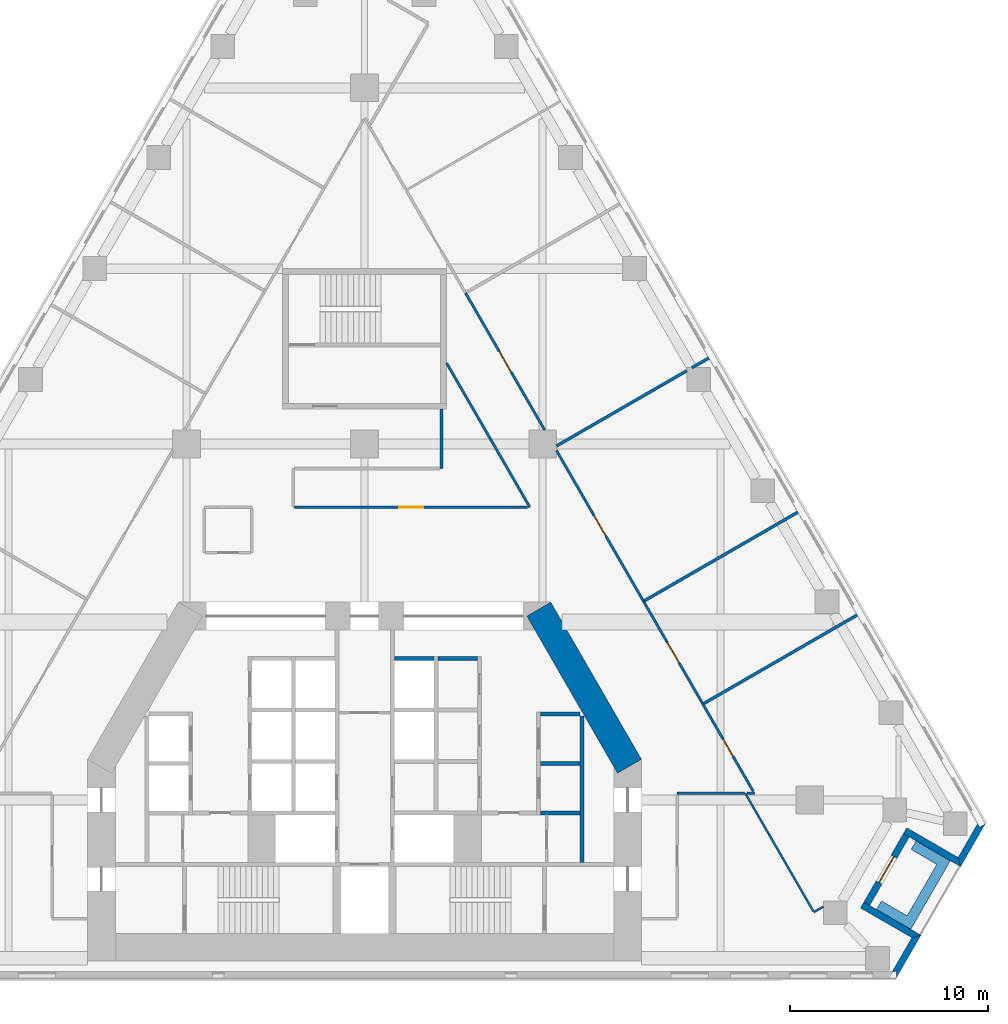
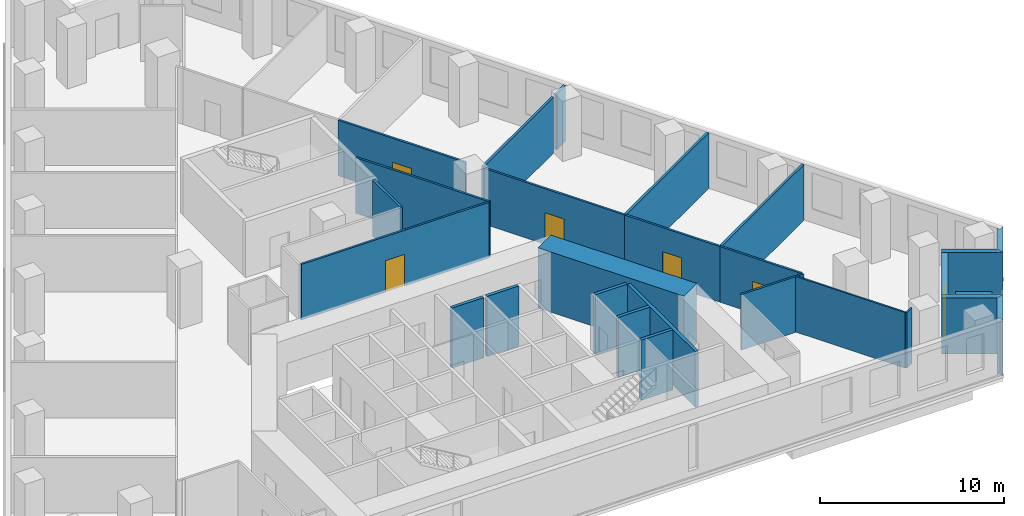
# One storey, part 6 of 9: 28 walls, 6 doors, 6 openings.
"""IFC4 building model written with IfcOpenShell, lengths in metres."""

from ifc_helpers import new_model, si_unit, direction, frame, frame_2d, origin, place, context, subcontext, project, spatial, polyline, rectangle, outline, extrude, material, layer, layer_set, type_object, element, fill, save


model = new_model("IFC4")

# Units and contexts
model_context = context("Model", 3, precision=1e-05, world=origin(), true_north=direction((0.0, 1.0)))
body_context = subcontext(model_context, "Body", "Model", "MODEL_VIEW")
ifc_project = project(units=[si_unit("LENGTHUNIT", "METRE"), si_unit("AREAUNIT", "SQUARE_METRE"), si_unit("VOLUMEUNIT", "CUBIC_METRE"), si_unit("PLANEANGLEUNIT", "RADIAN"), si_unit("MASSUNIT", "GRAM", prefix="KILO")], contexts=[model_context])

# Site, building, storey
site_placement = place(None, origin())
site = spatial("IfcSite", under=ifc_project, at=site_placement, CompositionType="ELEMENT")
building_placement = place(site_placement, origin())
building = spatial("IfcBuilding", under=site, at=building_placement, Name="Fogline Exchange Tower", CompositionType="ELEMENT")
storey_placement = place(building_placement, frame((0.0, 0.0, 72.89990234375)))
storey = spatial("IfcBuildingStorey", under=building, at=storey_placement, Name="L15", CompositionType="ELEMENT", Elevation=72.89990234375)

# Walls
ifc_material_1 = material(Name="Concrete C40", Category="concrete")
ifc_layer_1 = layer(ifc_material_1, 0.199951171875)
ifc_layer_set_1 = layer_set([ifc_layer_1], Name="CW20")
wall_type_1 = type_object("IfcWallType", Name="CW20", PredefinedType="SOLIDWALL", material=ifc_layer_set_1)
wall_1_placement = place(storey_placement, frame((11.0, 5.85009765625, 0.0), z_axis=(0.0, 0.0, 1.0), x_axis=(0.0, 1.0, 0.0)))
element("IfcWall", 1, at=wall_1_placement, inside=storey, type_object=wall_type_1, Name="Service room wall", PredefinedType="SOLIDWALL", context=body_context, shape_type="SweptSolid", body=[
    extrude(rectangle(XDim=7.39990234375, YDim=0.199951171875, at=frame_2d((3.699951171875, 0.0))), origin(), (0.0, 0.0, 1.0), 3.7001953125),
])
ifc_layer_2 = layer(ifc_material_1, 0.199951171875)
ifc_layer_set_2 = layer_set([ifc_layer_2], Name="CW20S")
wall_type_2 = type_object("IfcWallType", Name="CW20S", PredefinedType="SOLIDWALL", material=ifc_layer_set_2)
for number, where, z_axis, x_axis, name in (
    (2, (8.89990234375, 8.35009765625, -0.2998046875), (0.0, 0.0, 1.0), (1.0, 0.0, 0.0), "Lift shaft wall"),
    (3, (8.89990234375, 10.85009765625, -0.2998046875), (0.0, 0.0, 1.0), (1.0, 0.0, 0.0), "Lift shaft wall"),
    (4, (8.89990234375, 13.35009765625, -0.2998046875), (0.0, 0.0, 1.0), (1.0, 0.0, 0.0), "Lift shaft wall"),
    (5, (3.699951171875, 16.14990234375, -0.2998046875), (0.0, 0.0, 1.0), (1.0, 0.0, 0.0), "Lift shaft wall"),
    (6, (1.5, 16.14990234375, -0.2998046875), (0.0, 0.0, 1.0), (1.0, 0.0, 0.0), "Lift shaft wall"),
):
    element("IfcWall", number, at=place(storey_placement, frame(where, z_axis=z_axis, x_axis=x_axis)), inside=storey, type_object=wall_type_2, Name=name, PredefinedType="SOLIDWALL", context=body_context, shape_type="SweptSolid", body=[
        extrude(rectangle(XDim=2.0, YDim=0.199951171875, at=frame_2d((1.0, 0.0))), origin(), (0.0, 0.0, 1.0), 4.0),
    ])
ifc_material_2 = material(Name="Brick masonry", Category="masonry")
ifc_layer_3 = layer(ifc_material_2, 0.340087890625)
ifc_layer_set_3 = layer_set([ifc_layer_3], Name="FW1")
wall_type_3 = type_object("IfcWallType", Name="FW1", PredefinedType="SOLIDWALL", material=ifc_layer_set_3)
wall_2_placement = place(storey_placement, origin())
element("IfcWall", 7, at=wall_2_placement, inside=storey, type_object=wall_type_3, Name="Brick wall L15 SE-c1", PredefinedType="SOLIDWALL", context=body_context, shape_type="SweptSolid", body=[
    extrude(outline(polyline([(28.1337890625, 2.165771484375), (26.8828125, -0.001220703125), (26.88232421875, -0.0009765625), (26.88232421875, 0.33935546875), (26.685546875, 0.33935546875), (27.66796875, 2.041015625), (28.1337890625, 2.166015625), (28.1337890625, 2.165771484375)])), origin(), (0.0, 0.0, 1.0), 3.7001953125),
])
wall_3_placement = place(storey_placement, origin())
element("IfcWall", 8, at=wall_3_placement, inside=storey, type_object=wall_type_3, Name="Brick wall L15 SE-s1", PredefinedType="SOLIDWALL", context=body_context, shape_type="SweptSolid", body=[
    extrude(outline(polyline([(25.069580078125, 3.540283203125), (25.239990234375, 3.8359375), (25.53515625, 3.66552734375), (28.134033203125, 2.1650390625), (28.134033203125, 2.164794921875), (27.668212890625, 2.0400390625), (25.069580078125, 3.540283203125)])), origin(), (0.0, 0.0, 1.0), 3.7001953125),
])

# Wall, opening, door
wall_4_placement = place(storey_placement, frame((25.387451171875, 3.75, 0.0), z_axis=(0.0, 0.0, 1.0), x_axis=(0.49999894854, 0.866026010844, 0.0)))
wall_4 = element("IfcWall", 9, at=wall_4_placement, inside=storey, type_object=wall_type_3, Name="Brick wall L15 SE-bk", PredefinedType="SOLIDWALL", context=body_context, shape_type="SweptSolid", body=[
    extrude(rectangle(XDim=4.0, YDim=0.340087890625, at=frame_2d((2.0, 0.0))), origin(), (0.0, 0.0, 1.0), 3.7001953125),
])
opening_1_placement = place(wall_4_placement, frame((1.25, 0.0, 0.0)))
opening_1 = element("IfcOpeningElement", 10, at=opening_1_placement, cuts=wall_4, Name="Opening T04-E081", PredefinedType="OPENING", context=body_context, shape_type="SweptSolid", body=[
    extrude(rectangle(XDim=1.5, YDim=2.39990234375, at=frame_2d((0.75, 1.199951171875))), frame((0.0, 0.18017578125, 0.0), z_axis=(0.0, -1.0, 0.0), x_axis=(1.0, 0.0, 0.0)), (0.0, 0.0, 1.0), 0.360107421875),
])
ifc_material_3 = material(Name="Aluminium and glass", Category="aluminium")
door_type_1 = type_object("IfcDoorType", Name="ED4", OperationType="SINGLE_SWING_LEFT", PredefinedType="DOOR", material=ifc_material_3)
door_1_placement = place(opening_1_placement, frame((1.5, 0.0, 0.0), z_axis=(0.0, 0.0, 1.0), x_axis=(-1.0, 0.0, 0.0)))
door_1 = element("IfcDoor", 11, at=door_1_placement, inside=storey, type_object=door_type_1, Name="Balcony door L15 SE", OperationType="DOUBLE_DOOR_SINGLE_SWING", OverallHeight=2.39990234375, OverallWidth=1.5, PredefinedType="DOOR", context=body_context, shape_type="SweptSolid", body=[
    extrude(rectangle(XDim=1.5, YDim=2.39990234375, at=frame_2d((0.75, 1.199951171875))), frame((0.0, 0.02490234375, 0.0), z_axis=(0.0, -1.0, 0.0), x_axis=(1.0, 0.0, 0.0)), (0.0, 0.0, 1.0), 0.050048828125),
])
fill(opening_1, door_1)

# Walls
wall_5_placement = place(storey_placement, origin())
element("IfcWall", 12, at=wall_5_placement, inside=storey, type_object=wall_type_3, Name="Brick wall L15 SE-s2", PredefinedType="SOLIDWALL", context=body_context, shape_type="SweptSolid", body=[
    extrude(outline(polyline([(30.133544921875, 5.628173828125), (27.534423828125, 7.128662109375), (27.239501953125, 7.298828125), (27.41015625, 7.594482421875), (30.0087890625, 6.093994140625), (30.1337890625, 5.62841796875), (30.133544921875, 5.628173828125)])), origin(), (0.0, 0.0, 1.0), 3.7001953125),
])
wall_6_placement = place(storey_placement, origin())
element("IfcWall", 13, at=wall_6_placement, inside=storey, type_object=wall_type_3, Name="Brick wall L15 SE-c2", PredefinedType="SOLIDWALL", context=body_context, shape_type="SweptSolid", body=[
    extrude(outline(polyline([(30.990234375, 7.79541015625), (31.088623046875, 7.625), (31.383544921875, 7.79541015625), (31.3837890625, 7.794921875), (30.1328125, 5.6279296875), (30.132568359375, 5.6279296875), (30.0078125, 6.09375), (30.990234375, 7.79541015625)])), origin(), (0.0, 0.0, 1.0), 3.7001953125),
])
ifc_material_4 = material(Name="Concrete C30", Category="concrete")
ifc_layer_4 = layer(ifc_material_4, 0.199951171875)
ifc_layer_set_4 = layer_set([ifc_layer_4], Name="PL1")
wall_type_4 = type_object("IfcWallType", Name="PL1", PredefinedType="USERDEFINED", material=ifc_layer_set_4)
wall_7_placement = place(storey_placement, origin())
element("IfcWall", 14, at=wall_7_placement, inside=storey, type_object=wall_type_4, Name="PLANTER balcony L15 SE", ObjectType="PLANTER", PredefinedType="USERDEFINED", context=body_context, shape_type="SweptSolid", body=[
    extrude(outline(polyline([(25.881103515625, 3.465087890625), (27.18017578125, 2.715087890625), (27.18017578125, 2.715087890625), (27.61328125, 2.465087890625), (29.36328125, 5.49609375), (29.61328125, 5.92919921875), (27.881103515625, 6.92919921875), (27.631103515625, 6.49609375), (28.93017578125, 5.74609375), (27.43017578125, 3.148193359375), (26.131103515625, 3.898193359375), (25.881103515625, 3.465087890625)])), origin(), (0.0, 0.0, 1.0), 1.10009765625),
])
ifc_material_5 = material(Name="Plasterboard partition, 2 layers each side on steel studs", Category="steel")
ifc_layer_5 = layer(ifc_material_5, 0.10009765625)
ifc_layer_set_5 = layer_set([ifc_layer_5], Name="PW1")
wall_type_5 = type_object("IfcWallType", Name="PW1", PredefinedType="PARTITIONING", material=ifc_layer_set_5)
wall_8_placement = place(storey_placement, frame((19.24365234375, 9.340087890625, 0.0), z_axis=(0.0, 0.0, 1.0), x_axis=(0.500004737999, -0.866022668282, 0.0)))
element("IfcWall", 15, at=wall_8_placement, inside=storey, type_object=wall_type_5, Name="wall-L15-W047", PredefinedType="PARTITIONING", context=body_context, shape_type="SweptSolid", body=[
    extrude(rectangle(XDim=6.8876953125, YDim=0.10009765625, at=frame_2d((3.44384765625, 0.0))), origin(), (0.0, 0.0, 1.0), 3.7001953125),
])
wall_9_placement = place(storey_placement, frame((22.71240234375, 3.331787109375, 0.0), z_axis=(0.0, 0.0, 1.0), x_axis=(0.865894509735, 0.500226646643, 0.0)))
element("IfcWall", 16, at=wall_9_placement, inside=storey, type_object=wall_type_5, Name="wall-L15-W048", PredefinedType="PARTITIONING", context=body_context, shape_type="SweptSolid", body=[
    extrude(rectangle(XDim=0.558837890625, YDim=0.10009765625, at=frame_2d((0.279296875, 0.0))), origin(), (0.0, 0.0, 1.0), 3.7001953125),
])

# Wall, opening, door
ifc_material_6 = material(Name="Plasterboard corridor partition with mineral wool, 2 layers each side")
ifc_layer_6 = layer(ifc_material_6, 0.125)
ifc_layer_set_6 = layer_set([ifc_layer_6], Name="PW2")
wall_type_6 = type_object("IfcWallType", Name="PW2", PredefinedType="PARTITIONING", material=ifc_layer_set_6)
wall_10_placement = place(storey_placement, frame((-3.53759765625, 23.800048828125, 0.0), z_axis=(0.0, 0.0, 1.0), x_axis=(1.0, 0.0, 0.0)))
wall_10 = element("IfcWall", 17, at=wall_10_placement, inside=storey, type_object=wall_type_6, Name="wall-L15-W003", PredefinedType="PARTITIONING", context=body_context, shape_type="SweptSolid", body=[
    extrude(rectangle(XDim=11.78369140625, YDim=0.125, at=frame_2d((5.891845703125, 0.0))), origin(), (0.0, 0.0, 1.0), 3.7001953125),
])
opening_2_placement = place(wall_10_placement, frame((5.291748046875, 0.0, 0.0)))
opening_2 = element("IfcOpeningElement", 18, at=opening_2_placement, cuts=wall_10, Name="Opening T04-D002", PredefinedType="OPENING", context=body_context, shape_type="SweptSolid", body=[
    extrude(rectangle(XDim=1.199951171875, YDim=2.10009765625, at=frame_2d((0.60009765625, 1.050048828125))), frame((0.0, 0.072509765625, 0.0), z_axis=(0.0, -1.0, 0.0), x_axis=(1.0, 0.0, 0.0)), (0.0, 0.0, 1.0), 0.14501953125),
])
ifc_material_7 = material(Name="Fire-rated glazed door leaf with steel frame", Category="steel")
door_type_2 = type_object("IfcDoorType", Name="D5", OperationType="SINGLE_SWING_LEFT", PredefinedType="DOOR", material=ifc_material_7)
door_2_placement = place(opening_2_placement, origin())
door_2 = element("IfcDoor", 19, at=door_2_placement, inside=storey, type_object=door_type_2, Name="door-L15-D002", OperationType="SINGLE_SWING_RIGHT", OverallHeight=2.10009765625, OverallWidth=1.199951171875, PredefinedType="DOOR", context=body_context, shape_type="SweptSolid", body=[
    extrude(rectangle(XDim=1.199951171875, YDim=2.10009765625, at=frame_2d((0.60009765625, 1.050048828125))), frame((0.0, 0.02490234375, 0.0), z_axis=(0.0, -1.0, 0.0), x_axis=(1.0, 0.0, 0.0)), (0.0, 0.0, 1.0), 0.050048828125),
])
fill(opening_2, door_2)

wall_11_placement = place(storey_placement, frame((9.699951171875, 26.669921875, 0.0), z_axis=(0.0, 0.0, 1.0), x_axis=(0.50001609147, -0.866016113171, 0.0)))
wall_11 = element("IfcWall", 20, at=wall_11_placement, inside=storey, type_object=wall_type_6, Name="wall-L15-W009", PredefinedType="PARTITIONING", context=body_context, shape_type="SweptSolid", body=[
    extrude(rectangle(XDim=8.804443359375, YDim=0.125, at=frame_2d((4.40234375, 0.0))), origin(), (0.0, 0.0, 1.0), 3.7001953125),
])
opening_3_placement = place(wall_11_placement, frame((3.80224609375, 0.0, 0.0)))
opening_3 = element("IfcOpeningElement", 21, at=opening_3_placement, cuts=wall_11, Name="Opening T04-D005", PredefinedType="OPENING", context=body_context, shape_type="SweptSolid", body=[
    extrude(rectangle(XDim=1.199951171875, YDim=2.10009765625, at=frame_2d((0.60009765625, 1.050048828125))), frame((0.0, 0.072509765625, 0.0), z_axis=(0.0, -1.0, 0.0), x_axis=(1.0, 0.0, 0.0)), (0.0, 0.0, 1.0), 0.14501953125),
])
door_3_placement = place(opening_3_placement, origin())
door_3 = element("IfcDoor", 22, at=door_3_placement, inside=storey, type_object=door_type_2, Name="door-L15-D005", OperationType="SINGLE_SWING_RIGHT", OverallHeight=2.10009765625, OverallWidth=1.199951171875, PredefinedType="DOOR", context=body_context, shape_type="SweptSolid", body=[
    extrude(rectangle(XDim=1.199951171875, YDim=2.10009765625, at=frame_2d((0.60009765625, 1.050048828125))), frame((0.0, 0.02490234375, 0.0), z_axis=(0.0, -1.0, 0.0), x_axis=(1.0, 0.0, 0.0)), (0.0, 0.0, 1.0), 0.050048828125),
])
fill(opening_3, door_3)

wall_12_placement = place(storey_placement, frame((5.102294921875, 34.633544921875, 0.0), z_axis=(0.0, 0.0, 1.0), x_axis=(0.499982900776, -0.866035275801, 0.0)))
wall_12 = element("IfcWall", 23, at=wall_12_placement, inside=storey, type_object=wall_type_6, Name="wall-L15-W010", PredefinedType="PARTITIONING", context=body_context, shape_type="SweptSolid", body=[
    extrude(rectangle(XDim=8.006103515625, YDim=0.125, at=frame_2d((4.0029296875, 0.0))), origin(), (0.0, 0.0, 1.0), 3.7001953125),
])
opening_4_placement = place(wall_12_placement, frame((3.403076171875, 0.0, 0.0)))
opening_4 = element("IfcOpeningElement", 24, at=opening_4_placement, cuts=wall_12, Name="Opening T04-D006", PredefinedType="OPENING", context=body_context, shape_type="SweptSolid", body=[
    extrude(rectangle(XDim=1.199951171875, YDim=2.10009765625, at=frame_2d((0.60009765625, 1.050048828125))), frame((0.0, 0.072509765625, 0.0), z_axis=(0.0, -1.0, 0.0), x_axis=(1.0, 0.0, 0.0)), (0.0, 0.0, 1.0), 0.14501953125),
])
door_4_placement = place(opening_4_placement, origin())
door_4 = element("IfcDoor", 25, at=door_4_placement, inside=storey, type_object=door_type_2, Name="door-L15-D006", OperationType="SINGLE_SWING_LEFT", OverallHeight=2.10009765625, OverallWidth=1.199951171875, PredefinedType="DOOR", context=body_context, shape_type="SweptSolid", body=[
    extrude(rectangle(XDim=1.199951171875, YDim=2.10009765625, at=frame_2d((0.60009765625, 1.050048828125))), frame((0.0, 0.02490234375, 0.0), z_axis=(0.0, -1.0, 0.0), x_axis=(1.0, 0.0, 0.0)), (0.0, 0.0, 1.0), 0.050048828125),
])
fill(opening_4, door_4)

# Walls
wall_13_placement = place(storey_placement, frame((8.354736328125, 23.800048828125, 0.0), z_axis=(0.0, 0.0, 1.0), x_axis=(-0.500001396097, 0.866024597746, 0.0)))
element("IfcWall", 26, at=wall_13_placement, inside=storey, type_object=wall_type_6, Name="wall-L15-W011", PredefinedType="PARTITIONING", context=body_context, shape_type="SweptSolid", body=[
    extrude(rectangle(XDim=8.40966796875, YDim=0.125, at=frame_2d((4.204833984375, 0.0))), origin(), (0.0, 0.0, 1.0), 3.7001953125),
])
wall_14_placement = place(storey_placement, frame((19.19970703125, 9.340087890625, 0.0), z_axis=(0.0, 0.0, 1.0), x_axis=(-1.0, 0.0, 0.0)))
element("IfcWall", 27, at=wall_14_placement, inside=storey, type_object=wall_type_6, Name="wall-L15-W025", PredefinedType="PARTITIONING", context=body_context, shape_type="SweptSolid", body=[
    extrude(rectangle(XDim=3.399658203125, YDim=0.125, at=frame_2d((1.69970703125, 0.0))), origin(), (0.0, 0.0, 1.0), 3.7001953125),
])

# Wall, opening, door
wall_15_placement = place(storey_placement, frame((17.102294921875, 13.84912109375, 0.0), z_axis=(0.0, 0.0, 1.0), x_axis=(0.499971184285, -0.866042039906, 0.0)))
wall_15 = element("IfcWall", 28, at=wall_15_placement, inside=storey, type_object=wall_type_6, Name="wall-L15-W026", PredefinedType="PARTITIONING", context=body_context, shape_type="SweptSolid", body=[
    extrude(rectangle(XDim=5.097900390625, YDim=0.125, at=frame_2d((2.548828125, 0.0))), origin(), (0.0, 0.0, 1.0), 3.7001953125),
])
opening_5_placement = place(wall_15_placement, frame((2.048828125, 0.0, 0.0)))
opening_5 = element("IfcOpeningElement", 29, at=opening_5_placement, cuts=wall_15, Name="Opening T04-D015", PredefinedType="OPENING", context=body_context, shape_type="SweptSolid", body=[
    extrude(rectangle(XDim=1.0, YDim=2.10009765625, at=frame_2d((0.5, 1.050048828125))), frame((0.0, 0.072509765625, 0.0), z_axis=(0.0, -1.0, 0.0), x_axis=(1.0, 0.0, 0.0)), (0.0, 0.0, 1.0), 0.14501953125),
])
ifc_material_8 = material(Name="Fire-rated timber door leaf with steel frame", Category="steel")
door_type_3 = type_object("IfcDoorType", Name="D3", OperationType="SINGLE_SWING_LEFT", PredefinedType="DOOR", material=ifc_material_8)
door_5_placement = place(opening_5_placement, origin())
door_5 = element("IfcDoor", 30, at=door_5_placement, inside=storey, type_object=door_type_3, Name="door-L15-D015", OperationType="SINGLE_SWING_RIGHT", OverallHeight=2.10009765625, OverallWidth=1.0, PredefinedType="DOOR", context=body_context, shape_type="SweptSolid", body=[
    extrude(rectangle(XDim=1.0, YDim=2.10009765625, at=frame_2d((0.5, 1.050048828125))), frame((0.0, 0.02490234375, 0.0), z_axis=(0.0, -1.0, 0.0), x_axis=(1.0, 0.0, 0.0)), (0.0, 0.0, 1.0), 0.050048828125),
])
fill(opening_5, door_5)

# Wall
wall_16_placement = place(storey_placement, frame((19.70556640625, 9.340087890625, 0.0), z_axis=(0.0, 0.0, 1.0), x_axis=(-1.0, 0.0, 0.0)))
element("IfcWall", 31, at=wall_16_placement, inside=storey, type_object=wall_type_6, Name="wall-L15-W027", PredefinedType="PARTITIONING", context=body_context, shape_type="SweptSolid", body=[
    extrude(rectangle(XDim=0.36767578125, YDim=0.125, at=frame_2d((0.183837890625, 0.0))), origin(), (0.0, 0.0, 1.0), 3.7001953125),
])

# Wall, opening, door
wall_17_placement = place(storey_placement, frame((14.102294921875, 19.045166015625, 0.0), z_axis=(0.0, 0.0, 1.0), x_axis=(0.500007758305, -0.866020924479, 0.0)))
wall_17 = element("IfcWall", 32, at=wall_17_placement, inside=storey, type_object=wall_type_6, Name="wall-L15-W028", PredefinedType="PARTITIONING", context=body_context, shape_type="SweptSolid", body=[
    extrude(rectangle(XDim=6.0, YDim=0.125, at=frame_2d((3.0, 0.0))), origin(), (0.0, 0.0, 1.0), 3.7001953125),
])
opening_6_placement = place(wall_17_placement, frame((2.39990234375, 0.0, 0.0)))
opening_6 = element("IfcOpeningElement", 33, at=opening_6_placement, cuts=wall_17, Name="Opening T04-D016", PredefinedType="OPENING", context=body_context, shape_type="SweptSolid", body=[
    extrude(rectangle(XDim=1.199951171875, YDim=2.10009765625, at=frame_2d((0.60009765625, 1.050048828125))), frame((0.0, 0.072509765625, 0.0), z_axis=(0.0, -1.0, 0.0), x_axis=(1.0, 0.0, 0.0)), (0.0, 0.0, 1.0), 0.14501953125),
])
door_6_placement = place(opening_6_placement, origin())
door_6 = element("IfcDoor", 34, at=door_6_placement, inside=storey, type_object=door_type_2, Name="door-L15-D016", OperationType="SINGLE_SWING_RIGHT", OverallHeight=2.10009765625, OverallWidth=1.199951171875, PredefinedType="DOOR", context=body_context, shape_type="SweptSolid", body=[
    extrude(rectangle(XDim=1.199951171875, YDim=2.10009765625, at=frame_2d((0.60009765625, 1.050048828125))), frame((0.0, 0.02490234375, 0.0), z_axis=(0.0, -1.0, 0.0), x_axis=(1.0, 0.0, 0.0)), (0.0, 0.0, 1.0), 0.050048828125),
])
fill(opening_6, door_6)

# Walls
ifc_material_9 = material(Name="Plasterboard demising partition with mineral wool and acoustic board")
ifc_layer_7 = layer(ifc_material_9, 0.14990234375)
ifc_layer_set_7 = layer_set([ifc_layer_7], Name="PW3")
wall_type_7 = type_object("IfcWallType", Name="PW3", PredefinedType="PARTITIONING", material=ifc_layer_set_7)
wall_18_placement = place(storey_placement, frame((9.699951171875, 26.89599609375, 0.0), z_axis=(0.0, 0.0, 1.0), x_axis=(0.866034903993, 0.499983544795, 0.0)))
element("IfcWall", 35, at=wall_18_placement, inside=storey, type_object=wall_type_7, Name="wall-L15-W033", PredefinedType="PARTITIONING", context=body_context, shape_type="SweptSolid", body=[
    extrude(rectangle(XDim=7.608642578125, YDim=0.14990234375, at=frame_2d((3.80419921875, 0.0))), origin(), (0.0, 0.0, 1.0), 3.7001953125),
])
wall_19_placement = place(storey_placement, frame((16.5537109375, 30.852783203125, 0.0), z_axis=(0.0, 0.0, 1.0), x_axis=(0.866026830048, 0.499997529631, 0.0)))
element("IfcWall", 36, at=wall_19_placement, inside=storey, type_object=wall_type_7, Name="wall-L15-W034", PredefinedType="PARTITIONING", context=body_context, shape_type="SweptSolid", body=[
    extrude(rectangle(XDim=0.97314453125, YDim=0.14990234375, at=frame_2d((0.486572265625, 0.0))), origin(), (0.0, 0.0, 1.0), 3.7001953125),
])
for number, where, z_axis, x_axis, name in (
    (37, (21.896484375, 23.545166015625, 0.0), (0.0, 0.0, 1.0), (-0.866029105215, -0.49999358888, 0.0), "wall-L15-W035"),
    (38, (17.15625, 13.88037109375, 0.0), (0.0, 0.0, 1.0), (0.866029105215, 0.49999358888, 0.0), "wall-L15-W049"),
):
    element("IfcWall", number, at=place(storey_placement, frame(where, z_axis=z_axis, x_axis=x_axis)), inside=storey, type_object=wall_type_7, Name=name, PredefinedType="PARTITIONING", context=body_context, shape_type="SweptSolid", body=[
        extrude(rectangle(XDim=8.9375, YDim=0.14990234375, at=frame_2d((4.46875, 0.0))), origin(), (0.0, 0.0, 1.0), 3.7001953125),
    ])
ifc_material_10 = material(Name="Plasterboard stair lobby partition, 3 layers each side on steel studs", Category="steel")
ifc_layer_8 = layer(ifc_material_10, 0.14990234375)
ifc_layer_set_8 = layer_set([ifc_layer_8], Name="PW4")
wall_type_8 = type_object("IfcWallType", Name="PW4", PredefinedType="PARTITIONING", material=ifc_layer_set_8)
wall_20_placement = place(storey_placement, frame((3.89990234375, 28.757080078125, 0.0), z_axis=(0.0, 0.0, 1.0), x_axis=(0.0, -1.0, 0.0)))
element("IfcWall", 39, at=wall_20_placement, inside=storey, type_object=wall_type_8, Name="wall-L15-W029", PredefinedType="PARTITIONING", context=body_context, shape_type="SweptSolid", body=[
    extrude(rectangle(XDim=3.0, YDim=0.14990234375, at=frame_2d((1.5, 0.0))), origin(), (0.0, 0.0, 1.0), 3.7001953125),
])
ifc_material_11 = material(Name="Concrete C60", Category="concrete")
ifc_layer_9 = layer(ifc_material_11, 1.39990234375)
ifc_layer_set_9 = layer_set([ifc_layer_9], Name="SW01")
wall_type_9 = type_object("IfcWallType", Name="SW01", PredefinedType="SHEAR", material=ifc_layer_set_9)
wall_21_placement = place(storey_placement, frame((13.393798828125, 10.70263671875, 0.0), z_axis=(0.0, 0.0, 1.0), x_axis=(-0.50000187635, 0.866024320471, 0.0)))
element("IfcWall", 40, at=wall_21_placement, inside=storey, type_object=wall_type_9, Name="L15-W903", PredefinedType="SHEAR", context=body_context, shape_type="SweptSolid", body=[
    extrude(rectangle(XDim=9.1767578125, YDim=1.39990234375, at=frame_2d((4.58837890625, 0.0))), origin(), (0.0, 0.0, 1.0), 4.0),
])

save(model, "model.ifc")
